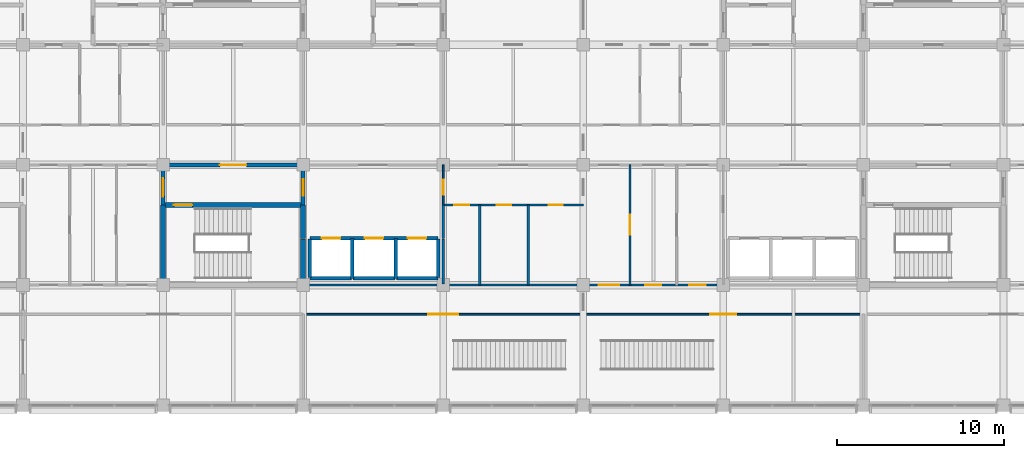
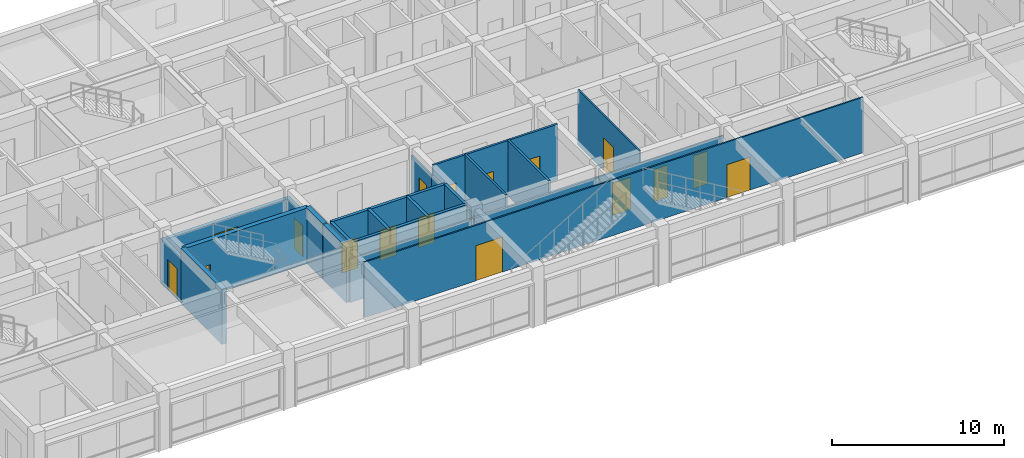
# One storey, part 16 of 27: 26 walls, 17 doors, 17 openings.
"""IFC4 building model written with IfcOpenShell, lengths in metres."""

from ifc_helpers import new_model, si_unit, direction, frame, frame_2d, origin, place, context, subcontext, project, spatial, rectangle, extrude, material, layer, layer_set, type_object, element, fill, save


model = new_model("IFC4")

# Units and contexts
model_context = context("Model", 3, precision=1e-05, world=origin(), true_north=direction((0.0, 1.0)))
body_context = subcontext(model_context, "Body", "Model", "MODEL_VIEW")
ifc_project = project(units=[si_unit("LENGTHUNIT", "METRE"), si_unit("AREAUNIT", "SQUARE_METRE"), si_unit("VOLUMEUNIT", "CUBIC_METRE"), si_unit("PLANEANGLEUNIT", "RADIAN"), si_unit("MASSUNIT", "GRAM", prefix="KILO")], contexts=[model_context])

# Site, building, storey
site_placement = place(None, origin())
site = spatial("IfcSite", under=ifc_project, at=site_placement, CompositionType="ELEMENT")
building_placement = place(site_placement, origin())
building = spatial("IfcBuilding", under=site, at=building_placement, Name="Chengyuan Square Courthouse", CompositionType="ELEMENT")
storey_placement = place(building_placement, frame((0.0, 0.0, 35.10009765625)))
storey = spatial("IfcBuildingStorey", under=building, at=storey_placement, Name="L08", CompositionType="ELEMENT", Elevation=35.10009765625)

# Wall, opening, door
ifc_material_1 = material(Name="Concrete C40", Category="concrete")
ifc_layer_1 = layer(ifc_material_1, 0.25)
ifc_layer_set_1 = layer_set([ifc_layer_1], Name="Concrete C40")
wall_type_1 = type_object("IfcWallType", Name="WL-FW1", PredefinedType="STANDARD", material=ifc_layer_set_1)
wall_1_placement = place(storey_placement, frame((58.800048828125, 93.60009765625, 0.0), z_axis=(0.0, 0.0, 1.0), x_axis=(1.0, 0.0, 0.0)))
wall_1 = element("IfcWall", 1, at=wall_1_placement, inside=storey, type_object=wall_type_1, Name="Interior Wall WL-L08-I2903", PredefinedType="STANDARD", context=body_context, shape_type="SweptSolid", body=[
    extrude(rectangle(XDim=8.39990234375, YDim=0.25, at=frame_2d((4.199951171875, 0.0))), origin(), (0.0, 0.0, 1.0), 3.099853515625),
])
opening_1_placement = place(wall_1_placement, frame((3.39990234375, 0.0, 0.0)))
opening_1 = element("IfcOpeningElement", 2, at=opening_1_placement, cuts=wall_1, Name="Opening DR-2508", PredefinedType="OPENING", context=body_context, shape_type="SweptSolid", body=[
    extrude(rectangle(XDim=1.60009765625, YDim=2.300048828125, at=frame_2d((0.800048828125, 1.14990234375))), frame((0.0, 0.136962890625, 0.0), z_axis=(0.0, -1.0, 0.0), x_axis=(1.0, 0.0, 0.0)), (0.0, 0.0, 1.0), 0.27392578125),
])
ifc_material_2 = material(Name="Steel Q235B Glazed Fire Door", Category="steel")
door_type_1 = type_object("IfcDoorType", Name="DT-17", OperationType="DOUBLE_DOOR_SINGLE_SWING", PredefinedType="DOOR", material=ifc_material_2)
door_1_placement = place(opening_1_placement, frame((1.60009765625, 0.0, 0.0), z_axis=(0.0, 0.0, 1.0), x_axis=(-1.0, 0.0, 0.0)))
door_1 = element("IfcDoor", 3, at=door_1_placement, inside=storey, type_object=door_type_1, Name="Interior Door DR-2508", OperationType="DOUBLE_DOOR_SINGLE_SWING", OverallHeight=2.300048828125, OverallWidth=1.60009765625, PredefinedType="DOOR", context=body_context, shape_type="SweptSolid", body=[
    extrude(rectangle(XDim=1.60009765625, YDim=2.300048828125, at=frame_2d((0.800048828125, 1.14990234375))), frame((0.0, 0.02490234375, 0.0), z_axis=(0.0, -1.0, 0.0), x_axis=(1.0, 0.0, 0.0)), (0.0, 0.0, 1.0), 0.050048828125),
])
fill(opening_1, door_1)

wall_2_placement = place(storey_placement, frame((58.800048828125, 91.199951171875, 0.0), z_axis=(0.0, 0.0, 1.0), x_axis=(0.0, 1.0, 0.0)))
wall_2 = element("IfcWall", 4, at=wall_2_placement, inside=storey, type_object=wall_type_1, Name="Interior Wall WL-L08-I2995", PredefinedType="STANDARD", context=body_context, shape_type="SweptSolid", body=[
    extrude(rectangle(XDim=2.400146484375, YDim=0.25, at=frame_2d((1.2001953125, 0.0))), origin(), (0.0, 0.0, 1.0), 3.199951171875),
])
opening_2_placement = place(wall_2_placement, frame((0.50244140625, 0.0, 0.0)))
opening_2 = element("IfcOpeningElement", 5, at=opening_2_placement, cuts=wall_2, Name="Opening DR-2509", PredefinedType="OPENING", context=body_context, shape_type="SweptSolid", body=[
    extrude(rectangle(XDim=1.10009765625, YDim=2.199951171875, at=frame_2d((0.550048828125, 1.10009765625))), frame((0.0, 0.136962890625, 0.0), z_axis=(0.0, -1.0, 0.0), x_axis=(1.0, 0.0, 0.0)), (0.0, 0.0, 1.0), 0.27392578125),
])
ifc_material_3 = material(Name="Steel Q235B Fire Door", Category="steel")
door_type_2 = type_object("IfcDoorType", Name="DT-10", OperationType="NOTDEFINED", PredefinedType="DOOR", material=ifc_material_3)
door_2_placement = place(opening_2_placement, origin())
door_2 = element("IfcDoor", 6, at=door_2_placement, inside=storey, type_object=door_type_2, Name="Interior Door DR-2509", OperationType="SINGLE_SWING_RIGHT", OverallHeight=2.199951171875, OverallWidth=1.10009765625, PredefinedType="DOOR", context=body_context, shape_type="SweptSolid", body=[
    extrude(rectangle(XDim=1.10009765625, YDim=2.199951171875, at=frame_2d((0.550048828125, 1.10009765625))), frame((0.0, 0.02490234375, 0.0), z_axis=(0.0, -1.0, 0.0), x_axis=(1.0, 0.0, 0.0)), (0.0, 0.0, 1.0), 0.050048828125),
])
fill(opening_2, door_2)

wall_3_placement = place(storey_placement, frame((67.199951171875, 91.199951171875, 0.0), z_axis=(0.0, 0.0, 1.0), x_axis=(0.0, 1.0, 0.0)))
wall_3 = element("IfcWall", 7, at=wall_3_placement, inside=storey, type_object=wall_type_1, Name="Interior Wall WL-L08-I3003", PredefinedType="STANDARD", context=body_context, shape_type="SweptSolid", body=[
    extrude(rectangle(XDim=2.400146484375, YDim=0.25, at=frame_2d((1.2001953125, 0.0))), origin(), (0.0, 0.0, 1.0), 3.199951171875),
])
opening_3_placement = place(wall_3_placement, frame((0.552490234375, 0.0, 0.0)))
opening_3 = element("IfcOpeningElement", 8, at=opening_3_placement, cuts=wall_3, Name="Opening DR-2507", PredefinedType="OPENING", context=body_context, shape_type="SweptSolid", body=[
    extrude(rectangle(XDim=1.0, YDim=2.199951171875, at=frame_2d((0.5, 1.10009765625))), frame((0.0, 0.136962890625, 0.0), z_axis=(0.0, -1.0, 0.0), x_axis=(1.0, 0.0, 0.0)), (0.0, 0.0, 1.0), 0.27392578125),
])
door_type_3 = type_object("IfcDoorType", Name="DT-11", OperationType="NOTDEFINED", PredefinedType="DOOR", material=ifc_material_3)
door_3_placement = place(opening_3_placement, origin())
door_3 = element("IfcDoor", 9, at=door_3_placement, inside=storey, type_object=door_type_3, Name="Interior Door DR-2507", OperationType="SINGLE_SWING_LEFT", OverallHeight=2.199951171875, OverallWidth=1.0, PredefinedType="DOOR", context=body_context, shape_type="SweptSolid", body=[
    extrude(rectangle(XDim=1.0, YDim=2.199951171875, at=frame_2d((0.5, 1.10009765625))), frame((0.0, 0.02490234375, 0.0), z_axis=(0.0, -1.0, 0.0), x_axis=(1.0, 0.0, 0.0)), (0.0, 0.0, 1.0), 0.050048828125),
])
fill(opening_3, door_3)

# Wall
ifc_material_4 = material(Name="Moisture-Resistant Masonry Wet-Room Partition", Category="masonry")
ifc_layer_2 = layer(ifc_material_4, 0.139892578125)
ifc_layer_set_2 = layer_set([ifc_layer_2], Name="Moisture-Resistant Masonry Wet-Room Partition")
wall_type_2 = type_object("IfcWallType", Name="WL-PT4", PredefinedType="STANDARD", material=ifc_layer_set_2)
wall_4_placement = place(storey_placement, frame((75.60009765625, 86.39990234375, 0.0), z_axis=(0.0, 0.0, 1.0), x_axis=(1.0, 0.0, 0.0)))
element("IfcWall", 10, at=wall_4_placement, inside=storey, type_object=wall_type_2, Name="Interior Wall WL-L08-I2882", PredefinedType="STANDARD", context=body_context, shape_type="SweptSolid", body=[
    extrude(rectangle(XDim=8.39990234375, YDim=0.139892578125, at=frame_2d((4.199951171875, 0.0))), origin(), (0.0, 0.0, 1.0), 3.099853515625),
])

# Wall, openings, doors
wall_5_placement = place(storey_placement, frame((75.60009765625, 91.199951171875, 0.0), z_axis=(0.0, 0.0, 1.0), x_axis=(1.0, 0.0, 0.0)))
wall_5 = element("IfcWall", 11, at=wall_5_placement, inside=storey, type_object=wall_type_2, Name="Interior Wall WL-L08-I2898", PredefinedType="STANDARD", context=body_context, shape_type="SweptSolid", body=[
    extrude(rectangle(XDim=8.39990234375, YDim=0.139892578125, at=frame_2d((4.199951171875, 0.0))), origin(), (0.0, 0.0, 1.0), 3.949951171875),
])
opening_4_placement = place(wall_5_placement, frame((0.64990234375, 0.0, 0.0)))
opening_4 = element("IfcOpeningElement", 12, at=opening_4_placement, cuts=wall_5, Name="Opening DR-2558", PredefinedType="OPENING", context=body_context, shape_type="SweptSolid", body=[
    extrude(rectangle(XDim=0.89990234375, YDim=2.14990234375, at=frame_2d((0.449951171875, 1.074951171875))), frame((0.0, 0.08203125, 0.0), z_axis=(0.0, -1.0, 0.0), x_axis=(1.0, 0.0, 0.0)), (0.0, 0.0, 1.0), 0.163818359375),
])
opening_5_placement = place(wall_5_placement, frame((3.219970703125, 0.0, 0.0)))
opening_5 = element("IfcOpeningElement", 13, at=opening_5_placement, cuts=wall_5, Name="Opening DR-2559", PredefinedType="OPENING", context=body_context, shape_type="SweptSolid", body=[
    extrude(rectangle(XDim=0.860107421875, YDim=2.10009765625, at=frame_2d((0.43017578125, 1.050048828125))), frame((0.0, 0.08203125, 0.0), z_axis=(0.0, -1.0, 0.0), x_axis=(1.0, 0.0, 0.0)), (0.0, 0.0, 1.0), 0.163818359375),
])
opening_6_placement = place(wall_5_placement, frame((6.320068359375, 0.0, 0.0)))
opening_6 = element("IfcOpeningElement", 14, at=opening_6_placement, cuts=wall_5, Name="Opening DR-2560", PredefinedType="OPENING", context=body_context, shape_type="SweptSolid", body=[
    extrude(rectangle(XDim=0.860107421875, YDim=2.10009765625, at=frame_2d((0.43017578125, 1.050048828125))), frame((0.0, 0.08203125, 0.0), z_axis=(0.0, -1.0, 0.0), x_axis=(1.0, 0.0, 0.0)), (0.0, 0.0, 1.0), 0.163818359375),
])
ifc_material_5 = material(Name="Acoustic Solid-Core Timber Door", Category="wood")
door_type_4 = type_object("IfcDoorType", Name="DT-27", OperationType="NOTDEFINED", PredefinedType="DOOR", material=ifc_material_5)
door_4_placement = place(opening_4_placement, origin())
door_4 = element("IfcDoor", 15, at=door_4_placement, inside=storey, type_object=door_type_4, Name="Interior Door DR-2558", OperationType="SINGLE_SWING_LEFT", OverallHeight=2.14990234375, OverallWidth=0.89990234375, PredefinedType="DOOR", context=body_context, shape_type="SweptSolid", body=[
    extrude(rectangle(XDim=0.89990234375, YDim=2.14990234375, at=frame_2d((0.449951171875, 1.074951171875))), frame((0.0, 0.02490234375, 0.0), z_axis=(0.0, -1.0, 0.0), x_axis=(1.0, 0.0, 0.0)), (0.0, 0.0, 1.0), 0.050048828125),
])
fill(opening_4, door_4)
door_type_5 = type_object("IfcDoorType", Name="DT-28", OperationType="NOTDEFINED", PredefinedType="DOOR", material=ifc_material_5)
door_5_placement = place(opening_5_placement, origin())
door_5 = element("IfcDoor", 16, at=door_5_placement, inside=storey, type_object=door_type_5, Name="Interior Door DR-2559", OperationType="SINGLE_SWING_RIGHT", OverallHeight=2.10009765625, OverallWidth=0.860107421875, PredefinedType="DOOR", context=body_context, shape_type="SweptSolid", body=[
    extrude(rectangle(XDim=0.860107421875, YDim=2.10009765625, at=frame_2d((0.43017578125, 1.050048828125))), frame((0.0, 0.02490234375, 0.0), z_axis=(0.0, -1.0, 0.0), x_axis=(1.0, 0.0, 0.0)), (0.0, 0.0, 1.0), 0.050048828125),
])
fill(opening_5, door_5)
door_6_placement = place(opening_6_placement, origin())
door_6 = element("IfcDoor", 17, at=door_6_placement, inside=storey, type_object=door_type_5, Name="Interior Door DR-2560", OperationType="SINGLE_SWING_LEFT", OverallHeight=2.10009765625, OverallWidth=0.860107421875, PredefinedType="DOOR", context=body_context, shape_type="SweptSolid", body=[
    extrude(rectangle(XDim=0.860107421875, YDim=2.10009765625, at=frame_2d((0.43017578125, 1.050048828125))), frame((0.0, 0.02490234375, 0.0), z_axis=(0.0, -1.0, 0.0), x_axis=(1.0, 0.0, 0.0)), (0.0, 0.0, 1.0), 0.050048828125),
])
fill(opening_6, door_6)

# Walls
wall_6_placement = place(storey_placement, frame((75.60009765625, 86.449951171875, 0.0), z_axis=(0.0, 0.0, 1.0), x_axis=(0.0, 1.0, 0.0)))
element("IfcWall", 18, at=wall_6_placement, inside=storey, type_object=wall_type_2, Name="Interior Wall WL-L08-I3016", PredefinedType="STANDARD", context=body_context, shape_type="SweptSolid", body=[
    extrude(rectangle(XDim=2.699951171875, YDim=0.139892578125, at=frame_2d((1.35009765625, 0.0))), origin(), (0.0, 0.0, 1.0), 3.199951171875),
])
wall_7_placement = place(storey_placement, frame((75.60009765625, 89.199951171875, 0.0), z_axis=(0.0, 0.0, 1.0), x_axis=(0.0, 1.0, 0.0)))
element("IfcWall", 19, at=wall_7_placement, inside=storey, type_object=wall_type_2, Name="Interior Wall WL-L08-I3017", PredefinedType="STANDARD", context=body_context, shape_type="SweptSolid", body=[
    extrude(rectangle(XDim=2.0, YDim=0.139892578125, at=frame_2d((1.0, 0.0))), origin(), (0.0, 0.0, 1.0), 3.199951171875),
])
for number, where, z_axis, x_axis, name in (
    (20, (77.800048828125, 86.39990234375, 0.0), (0.0, 0.0, 1.0), (0.0, 1.0, 0.0), "Interior Wall WL-L08-I3024"),
    (21, (80.699951171875, 86.39990234375, 0.0), (0.0, 0.0, 1.0), (0.0, 1.0, 0.0), "Interior Wall WL-L08-I3027"),
):
    element("IfcWall", number, at=place(storey_placement, frame(where, z_axis=z_axis, x_axis=x_axis)), inside=storey, type_object=wall_type_2, Name=name, PredefinedType="STANDARD", context=body_context, shape_type="SweptSolid", body=[
        extrude(rectangle(XDim=4.800048828125, YDim=0.139892578125, at=frame_2d((2.39990234375, 0.0))), origin(), (0.0, 0.0, 1.0), 3.949951171875),
    ])

# Wall, openings, doors
ifc_material_6 = material(Name="Gypsum Plasterboard Acoustic Stud Partition")
ifc_layer_3 = layer(ifc_material_6, 0.10009765625)
ifc_layer_set_3 = layer_set([ifc_layer_3], Name="Gypsum Plasterboard Acoustic Stud Partition")
wall_type_3 = type_object("IfcWallType", Name="WL-PT6", PredefinedType="STANDARD", material=ifc_layer_set_3)
wall_8_placement = place(storey_placement, frame((67.199951171875, 84.64990234375, 0.0), z_axis=(0.0, 0.0, 1.0), x_axis=(1.0, 0.0, 0.0)))
wall_8 = element("IfcWall", 22, at=wall_8_placement, inside=storey, type_object=wall_type_3, Name="Interior Wall WL-L08-I2875", PredefinedType="STANDARD", context=body_context, shape_type="SweptSolid", body=[
    extrude(rectangle(XDim=33.60009765625, YDim=0.10009765625, at=frame_2d((16.800048828125, 0.0))), origin(), (0.0, 0.0, 1.0), 3.949951171875),
])
opening_7_placement = place(wall_8_placement, frame((7.5, 0.0, 0.0)))
opening_7 = element("IfcOpeningElement", 23, at=opening_7_placement, cuts=wall_8, Name="Opening DR-2626", PredefinedType="OPENING", context=body_context, shape_type="SweptSolid", body=[
    extrude(rectangle(XDim=1.800048828125, YDim=2.5, at=frame_2d((0.89990234375, 1.25))), frame((0.0, 0.06201171875, 0.0), z_axis=(0.0, -1.0, 0.0), x_axis=(1.0, 0.0, 0.0)), (0.0, 0.0, 1.0), 0.1240234375),
])
opening_8_placement = place(wall_8_placement, frame((24.425048828125, 0.0, 0.0)))
opening_8 = element("IfcOpeningElement", 24, at=opening_8_placement, cuts=wall_8, Name="Opening DR-2628", PredefinedType="OPENING", context=body_context, shape_type="SweptSolid", body=[
    extrude(rectangle(XDim=1.550048828125, YDim=2.35009765625, at=frame_2d((0.77490234375, 1.175048828125))), frame((0.0, 0.06201171875, 0.0), z_axis=(0.0, -1.0, 0.0), x_axis=(1.0, 0.0, 0.0)), (0.0, 0.0, 1.0), 0.1240234375),
])
ifc_material_7 = material(Name="Acoustic Larch Veneer Double Door")
door_type_6 = type_object("IfcDoorType", Name="DT-21", OperationType="DOUBLE_DOOR_SINGLE_SWING", PredefinedType="DOOR", material=ifc_material_7)
door_7_placement = place(opening_7_placement, frame((1.800048828125, 0.0, 0.0), z_axis=(0.0, 0.0, 1.0), x_axis=(-1.0, 0.0, 0.0)))
door_7 = element("IfcDoor", 25, at=door_7_placement, inside=storey, type_object=door_type_6, Name="Interior Door DR-2626", OperationType="DOUBLE_DOOR_SINGLE_SWING", OverallHeight=2.5, OverallWidth=1.800048828125, PredefinedType="DOOR", context=body_context, shape_type="SweptSolid", body=[
    extrude(rectangle(XDim=1.800048828125, YDim=2.5, at=frame_2d((0.89990234375, 1.25))), frame((0.0, 0.02490234375, 0.0), z_axis=(0.0, -1.0, 0.0), x_axis=(1.0, 0.0, 0.0)), (0.0, 0.0, 1.0), 0.050048828125),
])
fill(opening_7, door_7)
door_type_7 = type_object("IfcDoorType", Name="DT-23", OperationType="DOUBLE_DOOR_SINGLE_SWING", PredefinedType="DOOR", material=ifc_material_7)
door_8_placement = place(opening_8_placement, frame((1.550048828125, 0.0, 0.0), z_axis=(0.0, 0.0, 1.0), x_axis=(-1.0, 0.0, 0.0)))
door_8 = element("IfcDoor", 26, at=door_8_placement, inside=storey, type_object=door_type_7, Name="Interior Door DR-2628", OperationType="DOUBLE_DOOR_SINGLE_SWING", OverallHeight=2.35009765625, OverallWidth=1.550048828125, PredefinedType="DOOR", context=body_context, shape_type="SweptSolid", body=[
    extrude(rectangle(XDim=1.550048828125, YDim=2.35009765625, at=frame_2d((0.77490234375, 1.175048828125))), frame((0.0, 0.02490234375, 0.0), z_axis=(0.0, -1.0, 0.0), x_axis=(1.0, 0.0, 0.0)), (0.0, 0.0, 1.0), 0.050048828125),
])
fill(opening_8, door_8)

# Wall
wall_9_placement = place(storey_placement, frame((67.25, 86.39990234375, 0.0), z_axis=(0.0, 0.0, 1.0), x_axis=(1.0, 0.0, 0.0)))
element("IfcWall", 27, at=wall_9_placement, inside=storey, type_object=wall_type_3, Name="Interior Wall WL-L08-I2881", PredefinedType="STANDARD", context=body_context, shape_type="SweptSolid", body=[
    extrude(rectangle(XDim=8.300048828125, YDim=0.10009765625, at=frame_2d((4.14990234375, 0.0))), origin(), (0.0, 0.0, 1.0), 3.099853515625),
])

# Wall, openings, doors
wall_10_placement = place(storey_placement, frame((84.0, 86.39990234375, 0.0), z_axis=(0.0, 0.0, 1.0), x_axis=(1.0, 0.0, 0.0)))
wall_10 = element("IfcWall", 28, at=wall_10_placement, inside=storey, type_object=wall_type_3, Name="Interior Wall WL-L08-I2883", PredefinedType="STANDARD", context=body_context, shape_type="SweptSolid", body=[
    extrude(rectangle(XDim=8.39990234375, YDim=0.10009765625, at=frame_2d((4.199951171875, 0.0))), origin(), (0.0, 0.0, 1.0), 3.099853515625),
])
opening_9_placement = place(wall_10_placement, frame((0.927490234375, 0.0, 0.0)))
opening_9 = element("IfcOpeningElement", 29, at=opening_9_placement, cuts=wall_10, Name="Opening DR-2603", PredefinedType="OPENING", context=body_context, shape_type="SweptSolid", body=[
    extrude(rectangle(XDim=1.239990234375, YDim=2.300048828125, at=frame_2d((0.6201171875, 1.14990234375))), frame((0.0, 0.06201171875, 0.0), z_axis=(0.0, -1.0, 0.0), x_axis=(1.0, 0.0, 0.0)), (0.0, 0.0, 1.0), 0.1240234375),
])
opening_10_placement = place(wall_10_placement, frame((3.72998046875, 0.0, 0.0)))
opening_10 = element("IfcOpeningElement", 30, at=opening_10_placement, cuts=wall_10, Name="Opening DR-2605", PredefinedType="OPENING", context=body_context, shape_type="SweptSolid", body=[
    extrude(rectangle(XDim=0.93994140625, YDim=2.300048828125, at=frame_2d((0.469970703125, 1.14990234375))), frame((0.0, 0.06201171875, 0.0), z_axis=(0.0, -1.0, 0.0), x_axis=(1.0, 0.0, 0.0)), (0.0, 0.0, 1.0), 0.1240234375),
])
opening_11_placement = place(wall_10_placement, frame((6.362548828125, 0.0, 0.0)))
opening_11 = element("IfcOpeningElement", 31, at=opening_11_placement, cuts=wall_10, Name="Opening DR-2606", PredefinedType="OPENING", context=body_context, shape_type="SweptSolid", body=[
    extrude(rectangle(XDim=0.97998046875, YDim=2.35009765625, at=frame_2d((0.489990234375, 1.175048828125))), frame((0.0, 0.06201171875, 0.0), z_axis=(0.0, -1.0, 0.0), x_axis=(1.0, 0.0, 0.0)), (0.0, 0.0, 1.0), 0.1240234375),
])
door_type_8 = type_object("IfcDoorType", Name="DT-37", OperationType="NOTDEFINED", PredefinedType="DOOR", material=ifc_material_5)
door_9_placement = place(opening_9_placement, origin())
door_9 = element("IfcDoor", 32, at=door_9_placement, inside=storey, type_object=door_type_8, Name="Interior Door DR-2603", OperationType="SINGLE_SWING_LEFT", OverallHeight=2.300048828125, OverallWidth=1.239990234375, PredefinedType="DOOR", context=body_context, shape_type="SweptSolid", body=[
    extrude(rectangle(XDim=1.239990234375, YDim=2.300048828125, at=frame_2d((0.6201171875, 1.14990234375))), frame((0.0, 0.02490234375, 0.0), z_axis=(0.0, -1.0, 0.0), x_axis=(1.0, 0.0, 0.0)), (0.0, 0.0, 1.0), 0.050048828125),
])
fill(opening_9, door_9)
door_type_9 = type_object("IfcDoorType", Name="DT-39", OperationType="NOTDEFINED", PredefinedType="DOOR", material=ifc_material_5)
door_10_placement = place(opening_10_placement, origin())
door_10 = element("IfcDoor", 33, at=door_10_placement, inside=storey, type_object=door_type_9, Name="Interior Door DR-2605", OperationType="SINGLE_SWING_LEFT", OverallHeight=2.300048828125, OverallWidth=0.93994140625, PredefinedType="DOOR", context=body_context, shape_type="SweptSolid", body=[
    extrude(rectangle(XDim=0.93994140625, YDim=2.300048828125, at=frame_2d((0.469970703125, 1.14990234375))), frame((0.0, 0.02490234375, 0.0), z_axis=(0.0, -1.0, 0.0), x_axis=(1.0, 0.0, 0.0)), (0.0, 0.0, 1.0), 0.050048828125),
])
fill(opening_10, door_10)
door_type_10 = type_object("IfcDoorType", Name="DT-40", OperationType="NOTDEFINED", PredefinedType="DOOR", material=ifc_material_5)
door_11_placement = place(opening_11_placement, origin())
door_11 = element("IfcDoor", 34, at=door_11_placement, inside=storey, type_object=door_type_10, Name="Interior Door DR-2606", OperationType="SINGLE_SWING_RIGHT", OverallHeight=2.35009765625, OverallWidth=0.97998046875, PredefinedType="DOOR", context=body_context, shape_type="SweptSolid", body=[
    extrude(rectangle(XDim=0.97998046875, YDim=2.35009765625, at=frame_2d((0.489990234375, 1.175048828125))), frame((0.0, 0.02490234375, 0.0), z_axis=(0.0, -1.0, 0.0), x_axis=(1.0, 0.0, 0.0)), (0.0, 0.0, 1.0), 0.050048828125),
])
fill(opening_11, door_11)

# Wall, opening, door
wall_11_placement = place(storey_placement, frame((75.60009765625, 91.199951171875, 0.0), z_axis=(0.0, 0.0, 1.0), x_axis=(0.0, 1.0, 0.0)))
wall_11 = element("IfcWall", 35, at=wall_11_placement, inside=storey, type_object=wall_type_3, Name="Interior Wall WL-L08-I3018", PredefinedType="STANDARD", context=body_context, shape_type="SweptSolid", body=[
    extrude(rectangle(XDim=2.400146484375, YDim=0.10009765625, at=frame_2d((1.2001953125, 0.0))), origin(), (0.0, 0.0, 1.0), 3.199951171875),
])
opening_12_placement = place(wall_11_placement, frame((0.6025390625, 0.0, 0.0)))
opening_12 = element("IfcOpeningElement", 36, at=opening_12_placement, cuts=wall_11, Name="Opening DR-2542", PredefinedType="OPENING", context=body_context, shape_type="SweptSolid", body=[
    extrude(rectangle(XDim=0.89990234375, YDim=2.14990234375, at=frame_2d((0.449951171875, 1.074951171875))), frame((0.0, 0.06201171875, 0.0), z_axis=(0.0, -1.0, 0.0), x_axis=(1.0, 0.0, 0.0)), (0.0, 0.0, 1.0), 0.1240234375),
])
door_12_placement = place(opening_12_placement, origin())
door_12 = element("IfcDoor", 37, at=door_12_placement, inside=storey, type_object=door_type_4, Name="Interior Door DR-2542", OperationType="SINGLE_SWING_LEFT", OverallHeight=2.14990234375, OverallWidth=0.89990234375, PredefinedType="DOOR", context=body_context, shape_type="SweptSolid", body=[
    extrude(rectangle(XDim=0.89990234375, YDim=2.14990234375, at=frame_2d((0.449951171875, 1.074951171875))), frame((0.0, 0.02490234375, 0.0), z_axis=(0.0, -1.0, 0.0), x_axis=(1.0, 0.0, 0.0)), (0.0, 0.0, 1.0), 0.050048828125),
])
fill(opening_12, door_12)

wall_12_placement = place(storey_placement, frame((86.800048828125, 86.39990234375, 0.0), z_axis=(0.0, 0.0, 1.0), x_axis=(0.0, 1.0, 0.0)))
wall_12 = element("IfcWall", 38, at=wall_12_placement, inside=storey, type_object=wall_type_3, Name="Interior Wall WL-L08-I3033", PredefinedType="STANDARD", context=body_context, shape_type="SweptSolid", body=[
    extrude(rectangle(XDim=7.2001953125, YDim=0.10009765625, at=frame_2d((3.60009765625, 0.0))), origin(), (0.0, 0.0, 1.0), 3.949951171875),
])
opening_13_placement = place(wall_12_placement, frame((3.0, 0.0, 0.0)))
opening_13 = element("IfcOpeningElement", 39, at=opening_13_placement, cuts=wall_12, Name="Opening DR-2602", PredefinedType="OPENING", context=body_context, shape_type="SweptSolid", body=[
    extrude(rectangle(XDim=1.199951171875, YDim=2.35009765625, at=frame_2d((0.60009765625, 1.175048828125))), frame((0.0, 0.06201171875, 0.0), z_axis=(0.0, -1.0, 0.0), x_axis=(1.0, 0.0, 0.0)), (0.0, 0.0, 1.0), 0.1240234375),
])
door_type_11 = type_object("IfcDoorType", Name="DT-36", OperationType="NOTDEFINED", PredefinedType="DOOR", material=ifc_material_5)
door_13_placement = place(opening_13_placement, origin())
door_13 = element("IfcDoor", 40, at=door_13_placement, inside=storey, type_object=door_type_11, Name="Interior Door DR-2602", OperationType="SINGLE_SWING_RIGHT", OverallHeight=2.35009765625, OverallWidth=1.199951171875, PredefinedType="DOOR", context=body_context, shape_type="SweptSolid", body=[
    extrude(rectangle(XDim=1.199951171875, YDim=2.35009765625, at=frame_2d((0.60009765625, 1.175048828125))), frame((0.0, 0.02490234375, 0.0), z_axis=(0.0, -1.0, 0.0), x_axis=(1.0, 0.0, 0.0)), (0.0, 0.0, 1.0), 0.050048828125),
])
fill(opening_13, door_13)

# Walls
ifc_material_8 = material(Name="Reinforced Masonry Shaft Enclosure", Category="masonry")
ifc_layer_4 = layer(ifc_material_8, 0.199951171875)
ifc_layer_set_4 = layer_set([ifc_layer_4], Name="Reinforced Masonry Shaft Enclosure")
wall_type_4 = type_object("IfcWallType", Name="WL-SH1", PredefinedType="STANDARD", material=ifc_layer_set_4)
for number, where, z_axis, x_axis, name in (
    (41, (67.60009765625, 86.800048828125, 0.0), (0.0, 0.0, 1.0), (1.0, 0.0, 0.0), "Interior Wall WL-L08-I2888"),
    (42, (70.199951171875, 86.800048828125, 0.0), (0.0, 0.0, 1.0), (1.0, 0.0, 0.0), "Interior Wall WL-L08-I2889"),
    (43, (72.800048828125, 86.800048828125, 0.0), (0.0, 0.0, 1.0), (1.0, 0.0, 0.0), "Interior Wall WL-L08-I2890"),
):
    element("IfcWall", number, at=place(storey_placement, frame(where, z_axis=z_axis, x_axis=x_axis)), inside=storey, type_object=wall_type_4, Name=name, PredefinedType="STANDARD", context=body_context, shape_type="SweptSolid", body=[
        extrude(rectangle(XDim=2.5, YDim=0.199951171875, at=frame_2d((1.25, 0.0))), origin(), (0.0, 0.0, 1.0), 3.949951171875),
    ])

# Wall, openings, doors
wall_13_placement = place(storey_placement, frame((67.60009765625, 89.199951171875, 0.0), z_axis=(0.0, 0.0, 1.0), x_axis=(1.0, 0.0, 0.0)))
wall_13 = element("IfcWall", 44, at=wall_13_placement, inside=storey, type_object=wall_type_4, Name="Interior Wall WL-L08-I2894", PredefinedType="STANDARD", context=body_context, shape_type="SweptSolid", body=[
    extrude(rectangle(XDim=7.699951171875, YDim=0.199951171875, at=frame_2d((3.85009765625, 0.0))), origin(), (0.0, 0.0, 1.0), 3.949951171875),
])
opening_14_placement = place(wall_13_placement, frame((0.72509765625, 0.0, 0.0)))
opening_14 = element("IfcOpeningElement", 45, at=opening_14_placement, cuts=wall_13, Name="Opening LD-141", PredefinedType="OPENING", context=body_context, shape_type="SweptSolid", body=[
    extrude(rectangle(XDim=1.10009765625, YDim=2.14990234375, at=frame_2d((0.550048828125, 1.074951171875))), frame((0.0, 0.112060546875, 0.0), z_axis=(0.0, -1.0, 0.0), x_axis=(1.0, 0.0, 0.0)), (0.0, 0.0, 1.0), 0.223876953125),
])
opening_15_placement = place(wall_13_placement, frame((3.300048828125, 0.0, 0.0)))
opening_15 = element("IfcOpeningElement", 46, at=opening_15_placement, cuts=wall_13, Name="Opening LD-142", PredefinedType="OPENING", context=body_context, shape_type="SweptSolid", body=[
    extrude(rectangle(XDim=1.10009765625, YDim=2.14990234375, at=frame_2d((0.550048828125, 1.074951171875))), frame((0.0, 0.112060546875, 0.0), z_axis=(0.0, -1.0, 0.0), x_axis=(1.0, 0.0, 0.0)), (0.0, 0.0, 1.0), 0.223876953125),
])
opening_16_placement = place(wall_13_placement, frame((5.875, 0.0, 0.0)))
opening_16 = element("IfcOpeningElement", 47, at=opening_16_placement, cuts=wall_13, Name="Opening LD-143", PredefinedType="OPENING", context=body_context, shape_type="SweptSolid", body=[
    extrude(rectangle(XDim=1.10009765625, YDim=2.14990234375, at=frame_2d((0.550048828125, 1.074951171875))), frame((0.0, 0.112060546875, 0.0), z_axis=(0.0, -1.0, 0.0), x_axis=(1.0, 0.0, 0.0)), (0.0, 0.0, 1.0), 0.223876953125),
])
ifc_material_9 = material(Name="Stainless Steel S30408 Lift Landing Door", Category="steel")
door_type_12 = type_object("IfcDoorType", Name="DT-06", OperationType="DOUBLE_DOOR_SLIDING", PredefinedType="DOOR", material=ifc_material_9)
door_14_placement = place(opening_14_placement, origin())
door_14 = element("IfcDoor", 48, at=door_14_placement, inside=storey, type_object=door_type_12, Name="Lift Landing Door LF-P1 L08", OperationType="DOUBLE_DOOR_SLIDING", OverallHeight=2.14990234375, OverallWidth=1.10009765625, PredefinedType="DOOR", context=body_context, shape_type="SweptSolid", body=[
    extrude(rectangle(XDim=1.10009765625, YDim=2.14990234375, at=frame_2d((0.550048828125, 1.074951171875))), frame((0.0, 0.02490234375, 0.0), z_axis=(0.0, -1.0, 0.0), x_axis=(1.0, 0.0, 0.0)), (0.0, 0.0, 1.0), 0.050048828125),
])
fill(opening_14, door_14)
door_15_placement = place(opening_15_placement, origin())
door_15 = element("IfcDoor", 49, at=door_15_placement, inside=storey, type_object=door_type_12, Name="Lift Landing Door LF-P2 L08", OperationType="DOUBLE_DOOR_SLIDING", OverallHeight=2.14990234375, OverallWidth=1.10009765625, PredefinedType="DOOR", context=body_context, shape_type="SweptSolid", body=[
    extrude(rectangle(XDim=1.10009765625, YDim=2.14990234375, at=frame_2d((0.550048828125, 1.074951171875))), frame((0.0, 0.02490234375, 0.0), z_axis=(0.0, -1.0, 0.0), x_axis=(1.0, 0.0, 0.0)), (0.0, 0.0, 1.0), 0.050048828125),
])
fill(opening_15, door_15)
door_16_placement = place(opening_16_placement, origin())
door_16 = element("IfcDoor", 50, at=door_16_placement, inside=storey, type_object=door_type_12, Name="Lift Landing Door LF-P3 L08", OperationType="DOUBLE_DOOR_SLIDING", OverallHeight=2.14990234375, OverallWidth=1.10009765625, PredefinedType="DOOR", context=body_context, shape_type="SweptSolid", body=[
    extrude(rectangle(XDim=1.10009765625, YDim=2.14990234375, at=frame_2d((0.550048828125, 1.074951171875))), frame((0.0, 0.02490234375, 0.0), z_axis=(0.0, -1.0, 0.0), x_axis=(1.0, 0.0, 0.0)), (0.0, 0.0, 1.0), 0.050048828125),
])
fill(opening_16, door_16)

# Walls
wall_14_placement = place(storey_placement, frame((67.60009765625, 86.85009765625, 0.0), z_axis=(0.0, 0.0, 1.0), x_axis=(0.0, 1.0, 0.0)))
element("IfcWall", 51, at=wall_14_placement, inside=storey, type_object=wall_type_4, Name="Interior Wall WL-L08-I3008", PredefinedType="STANDARD", context=body_context, shape_type="SweptSolid", body=[
    extrude(rectangle(XDim=2.2998046875, YDim=0.199951171875, at=frame_2d((1.14990234375, 0.0))), origin(), (0.0, 0.0, 1.0), 3.949951171875),
])
for number, where, z_axis, x_axis, name in (
    (52, (70.14990234375, 86.800048828125, 0.0), (0.0, 0.0, 1.0), (0.0, 1.0, 0.0), "Interior Wall WL-L08-I3010"),
    (53, (72.75, 86.800048828125, 0.0), (0.0, 0.0, 1.0), (0.0, 1.0, 0.0), "Interior Wall WL-L08-I3014"),
):
    element("IfcWall", number, at=place(storey_placement, frame(where, z_axis=z_axis, x_axis=x_axis)), inside=storey, type_object=wall_type_4, Name=name, PredefinedType="STANDARD", context=body_context, shape_type="SweptSolid", body=[
        extrude(rectangle(XDim=2.39990234375, YDim=0.199951171875, at=frame_2d((1.199951171875, 0.0))), origin(), (0.0, 0.0, 1.0), 3.949951171875),
    ])
wall_15_placement = place(storey_placement, frame((75.300048828125, 86.85009765625, 0.0), z_axis=(0.0, 0.0, 1.0), x_axis=(0.0, 1.0, 0.0)))
element("IfcWall", 54, at=wall_15_placement, inside=storey, type_object=wall_type_4, Name="Interior Wall WL-L08-I3015", PredefinedType="STANDARD", context=body_context, shape_type="SweptSolid", body=[
    extrude(rectangle(XDim=2.2998046875, YDim=0.199951171875, at=frame_2d((1.14990234375, 0.0))), origin(), (0.0, 0.0, 1.0), 3.949951171875),
])

# Wall, opening, door
ifc_layer_5 = layer(ifc_material_1, 0.300048828125)
ifc_layer_set_5 = layer_set([ifc_layer_5], Name="Concrete C40")
wall_type_5 = type_object("IfcWallType", Name="WL-SW2", PredefinedType="SHEAR", material=ifc_layer_set_5)
wall_16_placement = place(storey_placement, frame((58.800048828125, 91.199951171875, 0.0), z_axis=(0.0, 0.0, 1.0), x_axis=(1.0, 0.0, 0.0)))
wall_16 = element("IfcWall", 55, at=wall_16_placement, inside=storey, type_object=wall_type_5, Name="Interior Wall WL-L08-I2897", PredefinedType="SHEAR", context=body_context, shape_type="SweptSolid", body=[
    extrude(rectangle(XDim=8.39990234375, YDim=0.300048828125, at=frame_2d((4.199951171875, 0.0))), origin(), (0.0, 0.0, 1.0), 3.949951171875),
])
opening_17_placement = place(wall_16_placement, frame((0.64990234375, 0.0, 0.0)))
opening_17 = element("IfcOpeningElement", 56, at=opening_17_placement, cuts=wall_16, Name="Opening DR-2497", PredefinedType="OPENING", context=body_context, shape_type="SweptSolid", body=[
    extrude(rectangle(XDim=1.10009765625, YDim=2.199951171875, at=frame_2d((0.550048828125, 1.10009765625))), frame((0.0, 0.162109375, 0.0), z_axis=(0.0, -1.0, 0.0), x_axis=(1.0, 0.0, 0.0)), (0.0, 0.0, 1.0), 0.323974609375),
])
door_17_placement = place(opening_17_placement, frame((1.10009765625, 0.0, 0.0), z_axis=(0.0, 0.0, 1.0), x_axis=(-1.0, 0.0, 0.0)))
door_17 = element("IfcDoor", 57, at=door_17_placement, inside=storey, type_object=door_type_2, Name="Smoke-Proof Stairwell Fire Door ST-3 DR-2497", OperationType="SINGLE_SWING_LEFT", OverallHeight=2.199951171875, OverallWidth=1.10009765625, PredefinedType="DOOR", context=body_context, shape_type="SweptSolid", body=[
    extrude(rectangle(XDim=1.10009765625, YDim=2.199951171875, at=frame_2d((0.550048828125, 1.10009765625))), frame((0.0, 0.02490234375, 0.0), z_axis=(0.0, -1.0, 0.0), x_axis=(1.0, 0.0, 0.0)), (0.0, 0.0, 1.0), 0.050048828125),
])
fill(opening_17, door_17)

# Walls
wall_17_placement = place(storey_placement, frame((58.800048828125, 86.39990234375, 0.0), z_axis=(0.0, 0.0, 1.0), x_axis=(0.0, 1.0, 0.0)))
element("IfcWall", 58, at=wall_17_placement, inside=storey, type_object=wall_type_5, Name="Interior Wall WL-L08-I2994", PredefinedType="SHEAR", context=body_context, shape_type="SweptSolid", body=[
    extrude(rectangle(XDim=4.800048828125, YDim=0.300048828125, at=frame_2d((2.39990234375, 0.0))), origin(), (0.0, 0.0, 1.0), 3.949951171875),
])
wall_18_placement = place(storey_placement, frame((67.199951171875, 86.449951171875, 0.0), z_axis=(0.0, 0.0, 1.0), x_axis=(0.0, 1.0, 0.0)))
element("IfcWall", 59, at=wall_18_placement, inside=storey, type_object=wall_type_5, Name="Interior Wall WL-L08-I3001", PredefinedType="SHEAR", context=body_context, shape_type="SweptSolid", body=[
    extrude(rectangle(XDim=2.699951171875, YDim=0.300048828125, at=frame_2d((1.35009765625, 0.0))), origin(), (0.0, 0.0, 1.0), 3.949951171875),
])
wall_19_placement = place(storey_placement, frame((67.199951171875, 89.199951171875, 0.0), z_axis=(0.0, 0.0, 1.0), x_axis=(0.0, 1.0, 0.0)))
element("IfcWall", 60, at=wall_19_placement, inside=storey, type_object=wall_type_5, Name="Interior Wall WL-L08-I3002", PredefinedType="SHEAR", context=body_context, shape_type="SweptSolid", body=[
    extrude(rectangle(XDim=2.0, YDim=0.300048828125, at=frame_2d((1.0, 0.0))), origin(), (0.0, 0.0, 1.0), 3.949951171875),
])

save(model, "model.ifc")
